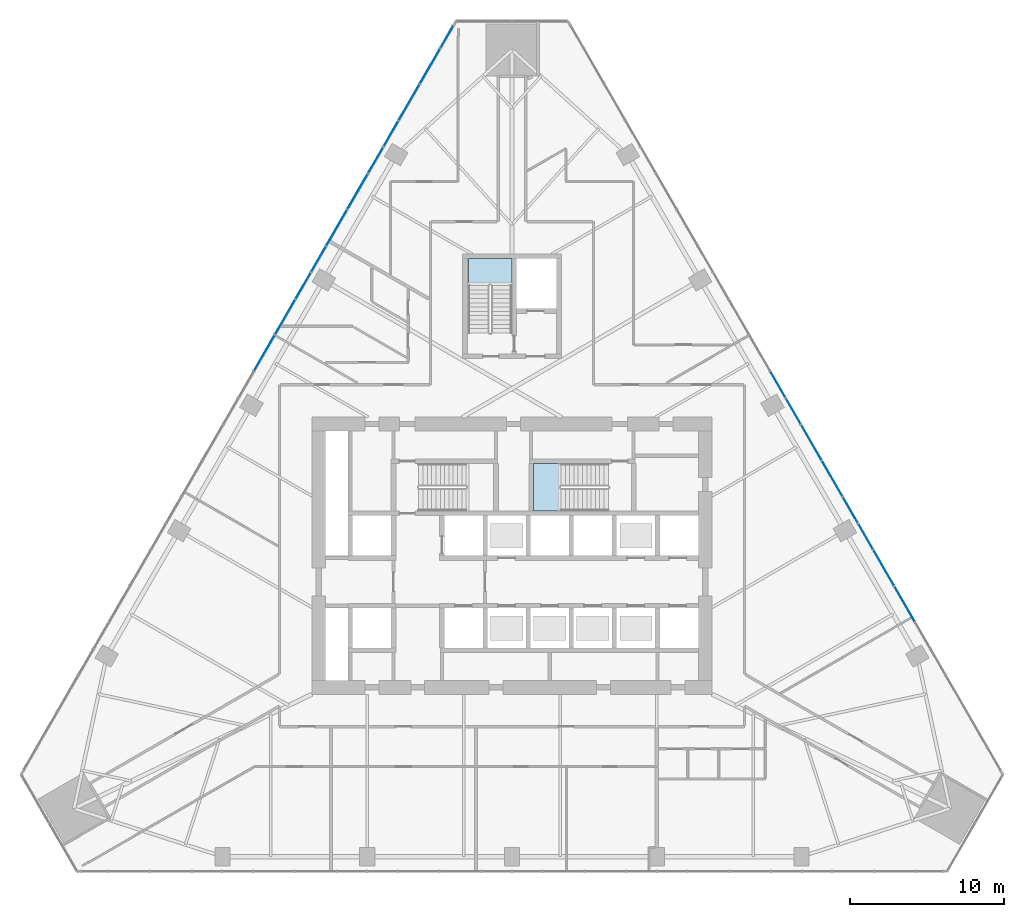
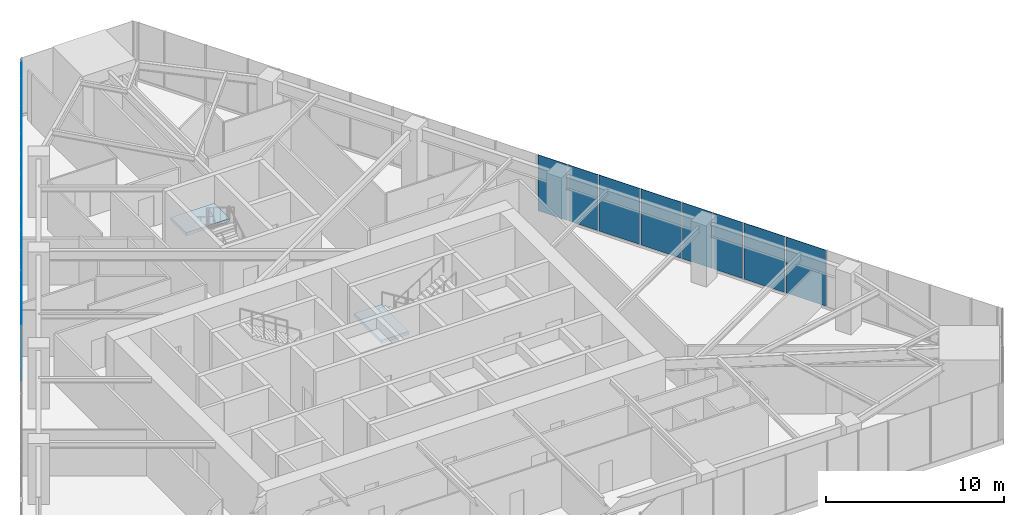
# One storey, part 14 of 21: 19 plates, 2 slabs, 4 elements without a shape of their own.
"""IFC4 building model written with IfcOpenShell, lengths in metres."""

from ifc_helpers import new_model, si_unit, direction, frame, origin, place, context, subcontext, project, spatial, polyline, outline, extrude, material, layer, layer_set, type_object, element, aggregate, save


model = new_model("IFC4")

# Units and contexts
model_context = context("Model", 3, precision=1e-05, world=origin(), true_north=direction((0.0, 1.0)))
body_context = subcontext(model_context, "Body", "Model", "MODEL_VIEW")
ifc_project = project(units=[si_unit("LENGTHUNIT", "METRE"), si_unit("AREAUNIT", "SQUARE_METRE"), si_unit("VOLUMEUNIT", "CUBIC_METRE"), si_unit("PLANEANGLEUNIT", "RADIAN"), si_unit("MASSUNIT", "GRAM", prefix="KILO")], contexts=[model_context])

# Site, building, storey
site_placement = place(None, origin())
site = spatial("IfcSite", under=ifc_project, at=site_placement, CompositionType="ELEMENT")
building_placement = place(site_placement, origin())
building = spatial("IfcBuilding", under=site, at=building_placement, Name="Firuza Gate Tower and Library", CompositionType="ELEMENT")
storey_placement = place(building_placement, frame((0.0, 0.0, 94.60009765625)))
storey = spatial("IfcBuildingStorey", under=building, at=storey_placement, Name="L21", CompositionType="ELEMENT", Elevation=94.60009765625)

# Curtain wall, plates
ifc_material_1 = material(Name="Aluminium 6063-T6", Category="aluminium")
ifc_layer_1 = layer(ifc_material_1, 0.14990234375)
ifc_layer_set_1 = layer_set([ifc_layer_1], Name="Unitised curtain wall, offices")
curtain_wall_type = type_object("IfcCurtainWallType", Name="Unitised curtain wall, offices", PredefinedType="NOTDEFINED", material=ifc_layer_set_1)
placement_1 = place(storey_placement, origin())
curtain_wall_1 = element("IfcCurtainWall", 1, at=placement_1, inside=storey, type_object=curtain_wall_type, Name="CW1 L21 E face", PredefinedType="NOTDEFINED")
ifc_material_2 = material(Name="Fritted glass", Category="glass")
ifc_layer_2 = layer(ifc_material_2, 0.030029296875)
ifc_layer_set_2 = layer_set([ifc_layer_2], Name="Fritted glass unit, offices")
plate_type_1 = type_object("IfcPlateType", Name="Fritted glass unit, offices", PredefinedType="CURTAIN_PANEL", material=ifc_layer_set_2)
plate_1_placement = place(storey_placement, frame((98.458984375, 75.435791015625, 0.14990234375), z_axis=(0.866069700026, 0.49992326881, 0.0), x_axis=(-0.49992326881, 0.866069700026, 0.0)))
plate_1 = element("IfcPlate", 2, at=plate_1_placement, type_object=plate_type_1, Name="Glass unit", PredefinedType="CURTAIN_PANEL", context=body_context, shape_type="SweptSolid", body=[
    extrude(outline(polyline([(0.0, 0.0), (1.894333677706446, 0.0), (1.894333677706446, 3.85009765625), (0.0, 3.85009765625), (0.0, 0.0)])), origin(), (0.0, 0.0, -1.0), 0.030029296875),
])
plate_2_placement = place(storey_placement, frame((97.471923828125, 77.1455078125, 0.14990234375), z_axis=(0.866008007854, 0.500030129425, 0.0), x_axis=(-0.500030129425, 0.866008007854, 0.0)))
plate_2 = element("IfcPlate", 3, at=plate_2_placement, type_object=plate_type_1, Name="Glass unit", PredefinedType="CURTAIN_PANEL", context=body_context, shape_type="SweptSolid", body=[
    extrude(outline(polyline([(0.0, 0.0), (1.923223952486553, 0.0), (1.923223952486553, 3.85009765625), (0.0, 3.85009765625), (0.0, 0.0)])), origin(), (0.0, 0.0, -1.0), 0.030029296875),
])
plate_3_placement = place(storey_placement, frame((93.75732421875, 83.579345703125, 0.14990234375), z_axis=(0.866038622153, 0.499977104415, 0.0), x_axis=(-0.499977104415, 0.866038622153, 0.0)))
plate_3 = element("IfcPlate", 4, at=plate_3_placement, type_object=plate_type_1, Name="Glass unit", PredefinedType="CURTAIN_PANEL", context=body_context, shape_type="SweptSolid", body=[
    extrude(outline(polyline([(0.0, 0.0), (1.9087788114640352, 0.0), (1.9087788114640352, 3.85009765625), (0.0, 3.85009765625), (0.0, 0.0)])), origin(), (0.0, 0.0, -1.0), 0.030029296875),
])
plate_4_placement = place(storey_placement, frame((92.762939453125, 85.3017578125, 0.14990234375), z_axis=(0.866006643745, 0.500032491935, 0.0), x_axis=(-0.500032491935, 0.866006643745, 0.0)))
plate_4 = element("IfcPlate", 5, at=plate_4_placement, type_object=plate_type_1, Name="Glass unit", PredefinedType="CURTAIN_PANEL", context=body_context, shape_type="SweptSolid", body=[
    extrude(outline(polyline([(0.0, 0.0), (1.908567380156947, 0.0), (1.908567380156947, 3.85009765625), (0.0, 3.85009765625), (0.0, 0.0)])), origin(), (0.0, 0.0, -1.0), 0.030029296875),
])

curtain_wall_2 = element("IfcCurtainWall", 6, at=placement_1, inside=storey, type_object=curtain_wall_type, Name="CW1 L21 W face", PredefinedType="NOTDEFINED")
plate_5_placement = place(storey_placement, frame((71.158203125, 109.413818359375, 0.14990234375), z_axis=(-0.866010015463, 0.500026652407, 0.0), x_axis=(-0.500026652407, -0.866010015463, 0.0)))
plate_5 = element("IfcPlate", 7, at=plate_5_placement, type_object=plate_type_1, Name="Glass unit", PredefinedType="CURTAIN_PANEL", context=body_context, shape_type="SweptSolid", body=[
    extrude(outline(polyline([(0.0, 0.0), (1.6210073425060785, 0.0), (1.6210073425060785, 3.85009765625), (0.0, 3.85009765625), (0.0, 0.0)])), origin(), (0.0, 0.0, -1.0), 0.030029296875),
])
plate_6_placement = place(storey_placement, frame((67.5947265625, 103.24169921875, 0.14990234375), z_axis=(-0.866012558475, 0.500022248069, 0.0), x_axis=(-0.500022248069, -0.866012558475, 0.0)))
plate_6 = element("IfcPlate", 8, at=plate_6_placement, type_object=plate_type_1, Name="Glass unit", PredefinedType="CURTAIN_PANEL", context=body_context, shape_type="SweptSolid", body=[
    extrude(outline(polyline([(0.0, 0.0), (1.879799168695176, 0.0), (1.879799168695176, 3.85009765625), (0.0, 3.85009765625), (0.0, 0.0)])), origin(), (0.0, 0.0, -1.0), 0.030029296875),
])
plate_7_placement = place(storey_placement, frame((66.61474609375, 101.54443359375, 0.14990234375), z_axis=(-0.866032409438, 0.499987865656, 0.0), x_axis=(-0.499987865656, -0.866032409438, 0.0)))
plate_7 = element("IfcPlate", 9, at=plate_7_placement, type_object=plate_type_1, Name="Glass unit", PredefinedType="CURTAIN_PANEL", context=body_context, shape_type="SweptSolid", body=[
    extrude(outline(polyline([(0.0, 0.0), (1.9375470217259445, 0.0), (1.9375470217259445, 3.85009765625), (0.0, 3.85009765625), (0.0, 0.0)])), origin(), (0.0, 0.0, -1.0), 0.030029296875),
])
plate_8_placement = place(storey_placement, frame((62.89306640625, 95.09814453125, 0.14990234375), z_axis=(-0.865981671769, 0.500075738423, 0.0), x_axis=(-0.500075738423, -0.865981671769, 0.0)))
plate_8 = element("IfcPlate", 10, at=plate_8_placement, type_object=plate_type_1, Name="Glass unit", PredefinedType="CURTAIN_PANEL", context=body_context, shape_type="SweptSolid", body=[
    extrude(outline(polyline([(0.0, 0.0), (1.8942443158448448, 0.0), (1.8942443158448448, 3.85009765625), (0.0, 3.85009765625), (0.0, 0.0)])), origin(), (0.0, 0.0, -1.0), 0.030029296875),
])
plate_9_placement = place(storey_placement, frame((61.906005859375, 93.388427734375, 0.14990234375), z_axis=(-0.866008007854, 0.500030129425, 0.0), x_axis=(-0.500030129425, -0.866008007854, 0.0)))
plate_9 = element("IfcPlate", 11, at=plate_9_placement, type_object=plate_type_1, Name="Glass unit", PredefinedType="CURTAIN_PANEL", context=body_context, shape_type="SweptSolid", body=[
    extrude(outline(polyline([(0.0, 0.0), (1.923223952486553, 0.0), (1.923223952486553, 3.85009765625), (0.0, 3.85009765625), (0.0, 0.0)])), origin(), (0.0, 0.0, -1.0), 0.030029296875),
])

# Plate
ifc_material_3 = material(Name="Glazed ceramic tile")
ifc_layer_3 = layer(ifc_material_3, 0.030029296875)
ifc_layer_set_3 = layer_set([ifc_layer_3], Name="Opaque ceramic panel, offices")
plate_type_2 = type_object("IfcPlateType", Name="Opaque ceramic panel, offices", PredefinedType="CURTAIN_PANEL", material=ifc_layer_set_3)
plate_10_placement = place(storey_placement, frame((101.172119140625, 70.73681640625, 0.14990234375), z_axis=(0.866025223369, 0.500000312488, 0.0), x_axis=(-0.500000312488, 0.866025223369, 0.0)))
plate_10 = element("IfcPlate", 12, at=plate_10_placement, type_object=plate_type_2, Name="Opaque ceramic panel", PredefinedType="CURTAIN_PANEL", context=body_context, shape_type="SweptSolid", body=[
    extrude(outline(polyline([(0.0, 0.0), (2.61132649298241, 0.0), (2.61132649298241, 3.85009765625), (0.0, 3.85009765625), (0.0, 0.0)])), origin(), (0.0, 0.0, -1.0), 0.030029296875),
])

plate_11_placement = place(storey_placement, frame((99.826416015625, 73.067626953125, 0.14990234375), z_axis=(0.865998725433, 0.500046205414, 0.0), x_axis=(-0.500046205414, 0.865998725433, 0.0)))
plate_11 = element("IfcPlate", 13, at=plate_11_placement, type_object=plate_type_2, Name="Opaque ceramic panel", PredefinedType="CURTAIN_PANEL", context=body_context, shape_type="SweptSolid", body=[
    extrude(outline(polyline([(0.0, 0.0), (2.6545398480249545, 0.0), (2.6545398480249545, 3.85009765625), (0.0, 3.85009765625), (0.0, 0.0)])), origin(), (0.0, 0.0, -1.0), 0.030029296875),
])

plate_12_placement = place(storey_placement, frame((96.47021484375, 78.88037109375, 0.14990234375), z_axis=(0.866043135266, 0.499969286915, 0.0), x_axis=(-0.499969286915, 0.866043135266, 0.0)))
plate_12 = element("IfcPlate", 14, at=plate_12_placement, type_object=plate_type_2, Name="Opaque ceramic panel", PredefinedType="CURTAIN_PANEL", context=body_context, shape_type="SweptSolid", body=[
    extrude(outline(polyline([(0.0, 0.0), (2.625649564846515, 0.0), (2.625649564846515, 3.85009765625), (0.0, 3.85009765625), (0.0, 0.0)])), origin(), (0.0, 0.0, -1.0), 0.030029296875),
])

plate_13_placement = place(storey_placement, frame((95.117431640625, 81.2236328125, 0.14990234375), z_axis=(0.86602080971, 0.500007957085, 0.0), x_axis=(-0.500007957085, 0.86602080971, 0.0)))
plate_13 = element("IfcPlate", 15, at=plate_13_placement, type_object=plate_type_2, Name="Opaque ceramic panel", PredefinedType="CURTAIN_PANEL", context=body_context, shape_type="SweptSolid", body=[
    extrude(outline(polyline([(0.0, 0.0), (2.6400947038324523, 0.0), (2.6400947038324523, 3.850097656250001), (0.0, 3.850097656250001), (0.0, 0.0)])), origin(), (0.0, 0.0, -1.0), 0.030029296875),
])

aggregate(curtain_wall_1, [plate_10, plate_11, plate_1, plate_2, plate_12, plate_13, plate_3, plate_4])

plate_14_placement = place(storey_placement, frame((70.3076171875, 107.940673828125, 0.14990234375), z_axis=(-0.866024317969, 0.500001880682, 0.0), x_axis=(-0.500001880682, -0.866024317969, 0.0)))
plate_14 = element("IfcPlate", 16, at=plate_14_placement, type_object=plate_type_2, Name="Opaque ceramic panel", PredefinedType="CURTAIN_PANEL", context=body_context, shape_type="SweptSolid", body=[
    extrude(outline(polyline([(0.0, 0.0), (2.596669920479381, 0.0), (2.596669920479381, 3.85009765625), (0.0, 3.85009765625), (0.0, 0.0)])), origin(), (0.0, 0.0, -1.0), 0.030029296875),
])

plate_15_placement = place(storey_placement, frame((68.96923828125, 105.62255859375, 0.14990234375), z_axis=(-0.866039359181, 0.499975827765, 0.0), x_axis=(-0.499975827765, -0.866039359181, 0.0)))
plate_15 = element("IfcPlate", 17, at=plate_15_placement, type_object=plate_type_2, Name="Opaque ceramic panel", PredefinedType="CURTAIN_PANEL", context=body_context, shape_type="SweptSolid", body=[
    extrude(outline(polyline([(0.0, 0.0), (2.6690743474828027, 0.0), (2.6690743474828027, 3.85009765625), (0.0, 3.85009765625), (0.0, 0.0)])), origin(), (0.0, 0.0, -1.0), 0.030029296875),
])

plate_16_placement = place(storey_placement, frame((65.60595703125, 99.797119140625, 0.14990234375), z_axis=(-0.866025223369, 0.500000312488, 0.0), x_axis=(-0.500000312488, -0.866025223369, 0.0)))
plate_16 = element("IfcPlate", 18, at=plate_16_placement, type_object=plate_type_2, Name="Opaque ceramic panel", PredefinedType="CURTAIN_PANEL", context=body_context, shape_type="SweptSolid", body=[
    extrude(outline(polyline([(0.0, 0.0), (2.61132649298241, 0.0), (2.61132649298241, 3.85009765625), (0.0, 3.85009765625), (0.0, 0.0)])), origin(), (0.0, 0.0, -1.0), 0.030029296875),
])

plate_17_placement = place(storey_placement, frame((64.26025390625, 97.466552734375, 0.14990234375), z_axis=(-0.866061540533, 0.499937404092, 0.0), x_axis=(-0.499937404092, -0.866061540533, 0.0)))
plate_17 = element("IfcPlate", 19, at=plate_17_placement, type_object=plate_type_2, Name="Opaque ceramic panel", PredefinedType="CURTAIN_PANEL", context=body_context, shape_type="SweptSolid", body=[
    extrude(outline(polyline([(0.0, 0.0), (2.6546292128515354, 0.0), (2.6546292128515354, 3.85009765625), (0.0, 3.85009765625), (0.0, 0.0)])), origin(), (0.0, 0.0, -1.0), 0.030029296875),
])

plate_18_placement = place(storey_placement, frame((60.904296875, 91.653564453125, 0.14990234375), z_axis=(-0.866043135266, 0.499969286915, 0.0), x_axis=(-0.499969286915, -0.866043135266, 0.0)))
plate_18 = element("IfcPlate", 20, at=plate_18_placement, type_object=plate_type_2, Name="Opaque ceramic panel", PredefinedType="CURTAIN_PANEL", context=body_context, shape_type="SweptSolid", body=[
    extrude(outline(polyline([(0.0, 0.0), (2.625649564846515, 0.0), (2.625649564846515, 3.85009765625), (0.0, 3.85009765625), (0.0, 0.0)])), origin(), (0.0, 0.0, -1.0), 0.030029296875),
])

plate_19_placement = place(storey_placement, frame((59.551513671875, 89.310302734375, 0.14990234375), z_axis=(-0.86602080971, 0.500007957085, 0.0), x_axis=(-0.500007957085, -0.86602080971, 0.0)))
plate_19 = element("IfcPlate", 21, at=plate_19_placement, type_object=plate_type_2, Name="Opaque ceramic panel", PredefinedType="CURTAIN_PANEL", context=body_context, shape_type="SweptSolid", body=[
    extrude(outline(polyline([(0.0, 0.0), (2.6400947038324523, 0.0), (2.6400947038324523, 3.850097656250001), (0.0, 3.850097656250001), (0.0, 0.0)])), origin(), (0.0, 0.0, -1.0), 0.030029296875),
])

aggregate(curtain_wall_2, [plate_5, plate_14, plate_15, plate_6, plate_7, plate_16, plate_17, plate_8, plate_9, plate_18, plate_19])

# Stair, slab
ifc_material_4 = material(Name="Concrete C35/45", Category="concrete")
stair_type_1 = type_object("IfcStairType", Name="Exit stair ST5", PredefinedType="HALF_TURN_STAIR", material=ifc_material_4)
stair_1 = element("IfcStair", 22, at=placement_1, inside=storey, type_object=stair_type_1, Name="L21 Stair ST2", PredefinedType="HALF_TURN_STAIR")
ifc_material_5 = material(Name="Concrete C35/45", Category="concrete")
ifc_layer_4 = layer(ifc_material_5, 0.199951171875)
ifc_layer_set_4 = layer_set([ifc_layer_4], Name="Stair landing 200")
slab_type = type_object("IfcSlabType", Name="Stair landing 200", PredefinedType="LANDING", material=ifc_layer_set_4)
placement_2 = place(storey_placement, frame((0.0, 0.0, 1.89990234375)))
slab_1 = element("IfcSlab", 23, at=placement_2, type_object=slab_type, Name="ST2 landing 1", PredefinedType="LANDING", context=body_context, shape_type="SweptSolid", body=[
    extrude(outline(polyline([(78.179931640625, 80.97998046875), (76.389892578125, 80.97998046875), (76.389892578125, 77.89990234375), (78.179931640625, 77.89990234375), (78.179931640625, 80.97998046875)])), origin(), (0.0, 0.0, 1.0), 0.199951171875),
])
aggregate(stair_1, [slab_1])

ifc_material_6 = material(Name="Concrete C35/45", Category="concrete")
stair_type_2 = type_object("IfcStairType", Name="Exit stair ST14", PredefinedType="HALF_TURN_STAIR", material=ifc_material_6)
stair_2 = element("IfcStair", 24, at=placement_1, inside=storey, type_object=stair_type_2, Name="L21 Stair ST3", PredefinedType="HALF_TURN_STAIR")
slab_2 = element("IfcSlab", 25, at=placement_2, type_object=slab_type, Name="ST3 landing 1", PredefinedType="LANDING", context=body_context, shape_type="SweptSolid", body=[
    extrude(outline(polyline([(75.0, 92.550048828125), (75.0, 94.300048828125), (72.159912109375, 94.300048828125), (72.159912109375, 92.550048828125), (75.0, 92.550048828125)])), origin(), (0.0, 0.0, 1.0), 0.199951171875),
])
aggregate(stair_2, [slab_2])

save(model, "model.ifc")
